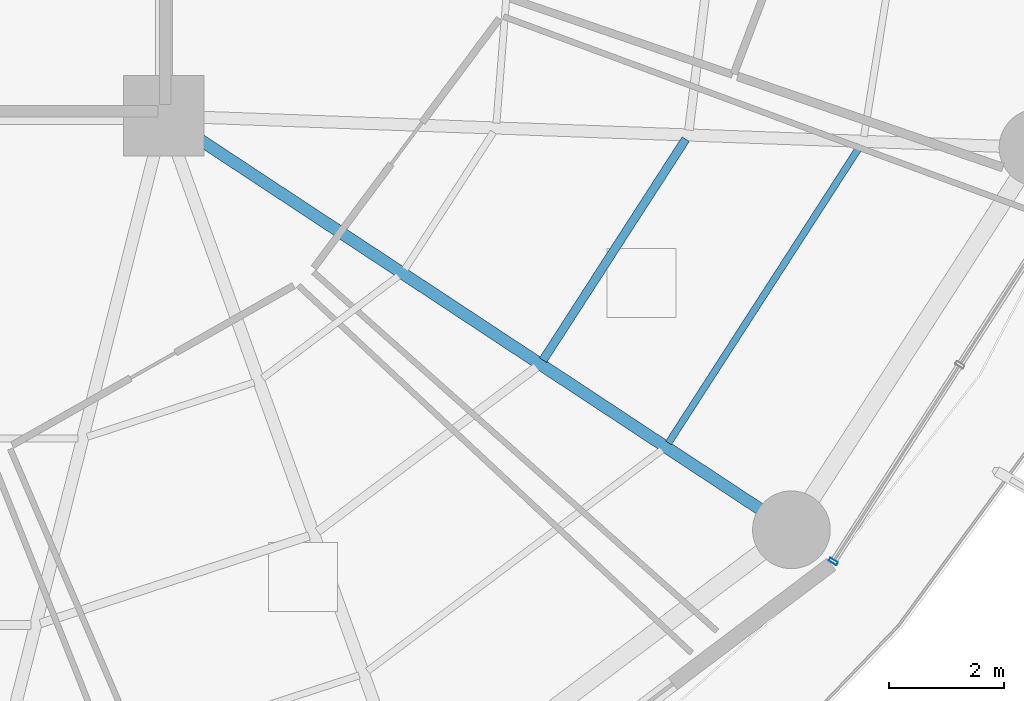
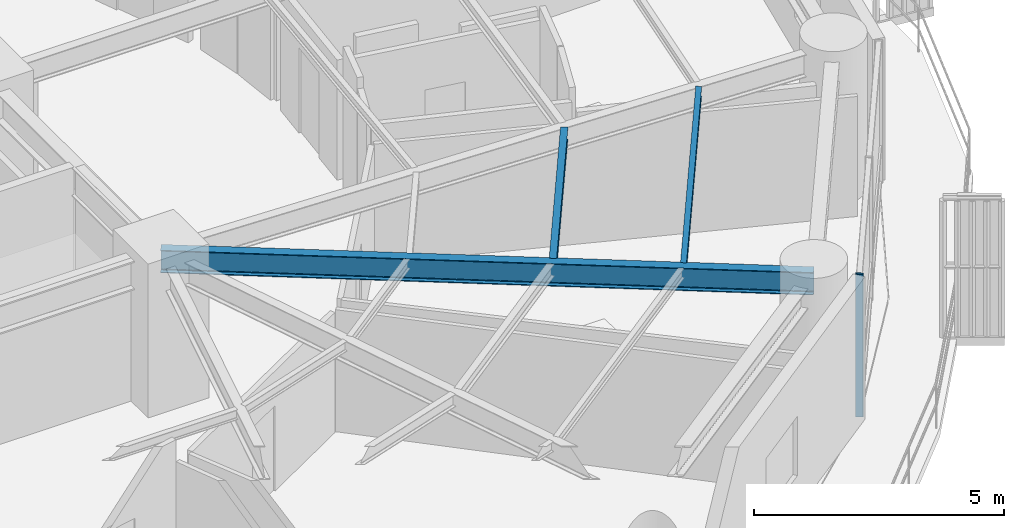
# One storey, part 12 of 35: 3 beams, 1 member, 1 element without a shape of its own.
"""IFC4 building model written with IfcOpenShell, lengths in metres."""

from ifc_helpers import new_model, si_unit, direction, frame, origin, origin_2d, place, context, subcontext, project, spatial, hollow_rectangle, i_section, extrude, material, layer, layer_set, material_profile, profile_set, type_object, element, aggregate, save


model = new_model("IFC4")

# Units and contexts
model_context = context("Model", 3, precision=1e-05, world=origin(), true_north=direction((0.0, 1.0)))
body_context = subcontext(model_context, "Body", "Model", "MODEL_VIEW")
ifc_project = project(units=[si_unit("LENGTHUNIT", "METRE"), si_unit("AREAUNIT", "SQUARE_METRE"), si_unit("VOLUMEUNIT", "CUBIC_METRE"), si_unit("PLANEANGLEUNIT", "RADIAN"), si_unit("MASSUNIT", "GRAM", prefix="KILO")], contexts=[model_context])

# Site, building, storey
site_placement = place(None, origin())
site = spatial("IfcSite", under=ifc_project, at=site_placement, CompositionType="ELEMENT")
building_placement = place(site_placement, origin())
building = spatial("IfcBuilding", under=site, at=building_placement, Name="Kelanora Arch Commons", CompositionType="ELEMENT")
storey_placement = place(building_placement, frame((0.0, 0.0, 95.10009765625)))
storey = spatial("IfcBuildingStorey", under=building, at=storey_placement, Name="L24", CompositionType="ELEMENT", Elevation=95.10009765625)

# Beams
ifc_material_1 = material(Name="Steel S355", Category="steel")
ifc_material_profile_1 = material_profile(ifc_material_1, i_section(OverallWidth=0.14990234375, OverallDepth=0.300048828125, WebThickness=0.007080078125, FlangeThickness=0.0107421875, FilletRadius=0.014892578125, at=origin_2d()), Name="IPE300")
ifc_profile_set_1 = profile_set([ifc_material_profile_1], Name="Steel S355")
beam_type_1 = type_object("IfcBeamType", Name="BM-JST-01", PredefinedType="JOIST", material=ifc_profile_set_1)
beam_1_placement = place(storey_placement, frame((88.589599609375, 46.755615234375, 3.33984375), z_axis=(0.542230243286, 0.840229946661, 0.0), x_axis=(-0.840229946661, 0.542230243286, 0.0)))
element("IfcBeam", 1, at=beam_1_placement, inside=storey, type_object=beam_type_1, Name="Secondary Chord Joist BJB-32 L24", PredefinedType="JOIST", context=body_context, shape_type="SweptSolid", body=[
    extrude(i_section(OverallWidth=0.14990234375, OverallDepth=0.300048828125, WebThickness=0.007080078125, FlangeThickness=0.0107421875, FilletRadius=0.014892578125, at=origin_2d()), origin(), (0.0, 0.0, 1.0), 4.572265625),
])
ifc_material_profile_2 = material_profile(ifc_material_1, i_section(OverallWidth=0.1201171875, OverallDepth=0.239990234375, WebThickness=0.006103515625, FlangeThickness=0.009765625, FilletRadius=0.014892578125, at=origin_2d()), Name="IPE240")
ifc_profile_set_2 = profile_set([ifc_material_profile_2], Name="Steel S355")
beam_type_2 = type_object("IfcBeamType", Name="BM-JST-02", PredefinedType="JOIST", material=ifc_profile_set_2)
beam_2_placement = place(storey_placement, frame((90.77099609375, 45.317138671875, 3.369873046875), z_axis=(0.542212726273, 0.840241250754, 0.0), x_axis=(-0.840241250754, 0.542212726273, 0.0)))
element("IfcBeam", 2, at=beam_2_placement, inside=storey, type_object=beam_type_2, Name="Secondary Chord Joist BJC-32 L24", PredefinedType="JOIST", context=body_context, shape_type="SweptSolid", body=[
    extrude(i_section(OverallWidth=0.1201171875, OverallDepth=0.239990234375, WebThickness=0.006103515625, FlangeThickness=0.009765625, FilletRadius=0.014892578125, at=origin_2d()), origin(), (0.0, 0.0, 1.0), 6.15283203125),
])
ifc_material_profile_3 = material_profile(ifc_material_1, i_section(OverallWidth=0.2099609375, OverallDepth=0.550048828125, WebThickness=0.010986328125, FlangeThickness=0.01708984375, FilletRadius=0.02392578125, at=origin_2d()), Name="IPE550")
ifc_profile_set_3 = profile_set([ifc_material_profile_3], Name="Steel S355")
beam_type_3 = type_object("IfcBeamType", Name="BM-RAD-Z2", PredefinedType="BEAM", material=ifc_profile_set_3)
beam_3_placement = place(storey_placement, frame((82.0, 51.0, 3.21484375), z_axis=(0.834788577908, -0.550570640512, 0.0), x_axis=(0.550570640512, 0.834788577908, 0.0)))
element("IfcBeam", 3, at=beam_3_placement, inside=storey, type_object=beam_type_3, Name="Radial Floor Girder BR-32 L24", PredefinedType="BEAM", context=body_context, shape_type="SweptSolid", body=[
    extrude(i_section(OverallWidth=0.2099609375, OverallDepth=0.550048828125, WebThickness=0.010986328125, FlangeThickness=0.01708984375, FilletRadius=0.02392578125, at=origin_2d()), origin(), (0.0, 0.0, 1.0), 13.064453125),
])

# Curtain wall, member
ifc_material_2 = material(Name="Terracotta ceramic-fritted low-E glass and aluminium", Category="masonry")
ifc_layer = layer(ifc_material_2, 0.159912109375)
ifc_layer_set = layer_set([ifc_layer], Name="Terracotta ceramic-fritted low-E glass and aluminium")
curtain_wall_type = type_object("IfcCurtainWallType", Name="CW-SYS-01", PredefinedType="NOTDEFINED", material=ifc_layer_set)
curtain_wall_placement = place(storey_placement, origin())
curtain_wall = element("IfcCurtainWall", 4, at=curtain_wall_placement, inside=storey, type_object=curtain_wall_type, Name="Unitised Curtain Wall L24-B16", PredefinedType="NOTDEFINED")
ifc_material_3 = material(Name="Powder-coated aluminium terracotta", Category="masonry")
ifc_material_profile_4 = material_profile(ifc_material_3, hollow_rectangle(XDim=0.159912109375, YDim=0.06005859375, WallThickness=0.0048828125, InnerFilletRadius=0.0048828125, OuterFilletRadius=0.010009765625, at=origin_2d()), Name="CWM160x60")
ifc_profile_set_4 = profile_set([ifc_material_profile_4], Name="Powder-coated aluminium terracotta")
member_type = type_object("IfcMemberType", Name="CWM-STD", PredefinedType="MULLION", material=ifc_profile_set_4)
member_placement = place(storey_placement, frame((93.635009765625, 43.253662109375, 0.0), z_axis=(0.0, 0.0, 1.0), x_axis=(-0.841268883088, 0.540616931244, 0.0)))
member = element("IfcMember", 5, at=member_placement, type_object=member_type, Name="CW-01 mullion 1", PredefinedType="MULLION", context=body_context, shape_type="SweptSolid", body=[
    extrude(hollow_rectangle(XDim=0.159912109375, YDim=0.06005859375, WallThickness=0.0048828125, InnerFilletRadius=0.0048828125, OuterFilletRadius=0.010009765625, at=origin_2d()), origin(), (0.0, 0.0, 1.0), 3.474853515625),
])
aggregate(curtain_wall, [member])

save(model, "model.ifc")
